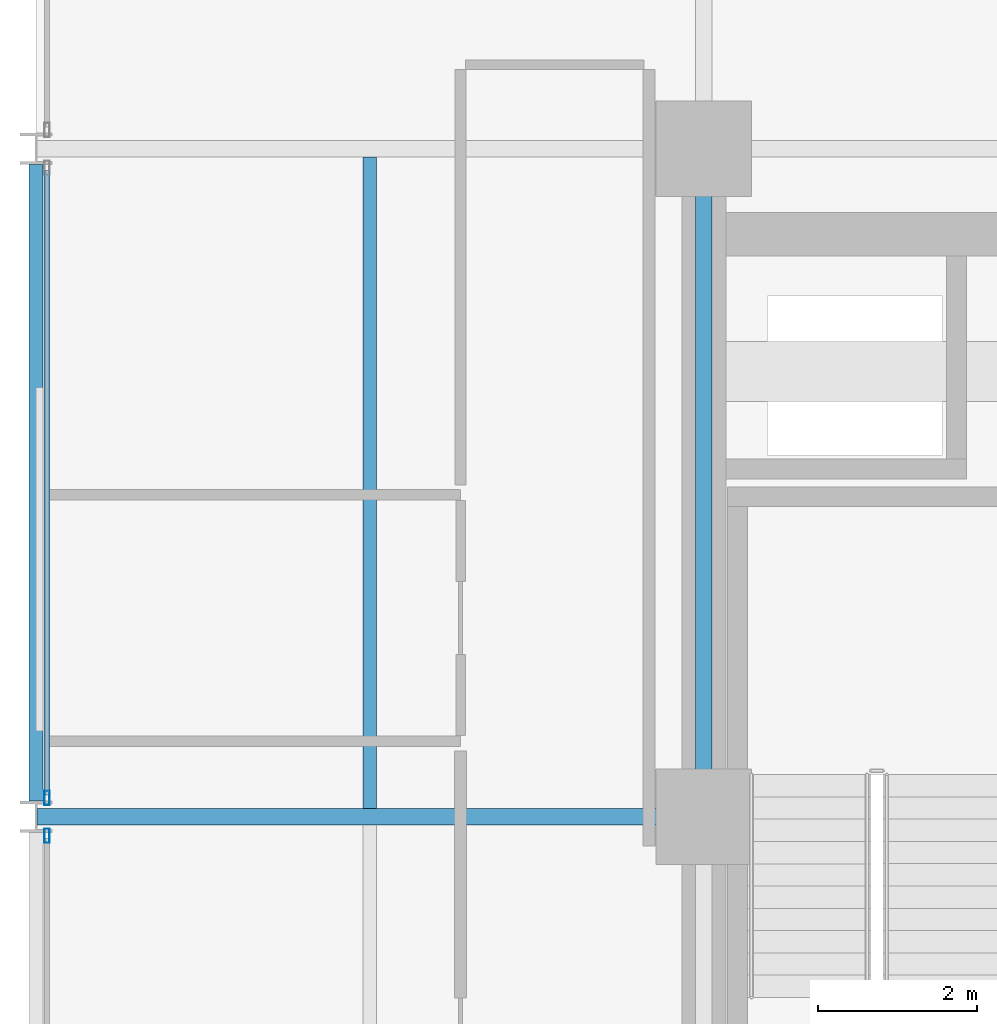
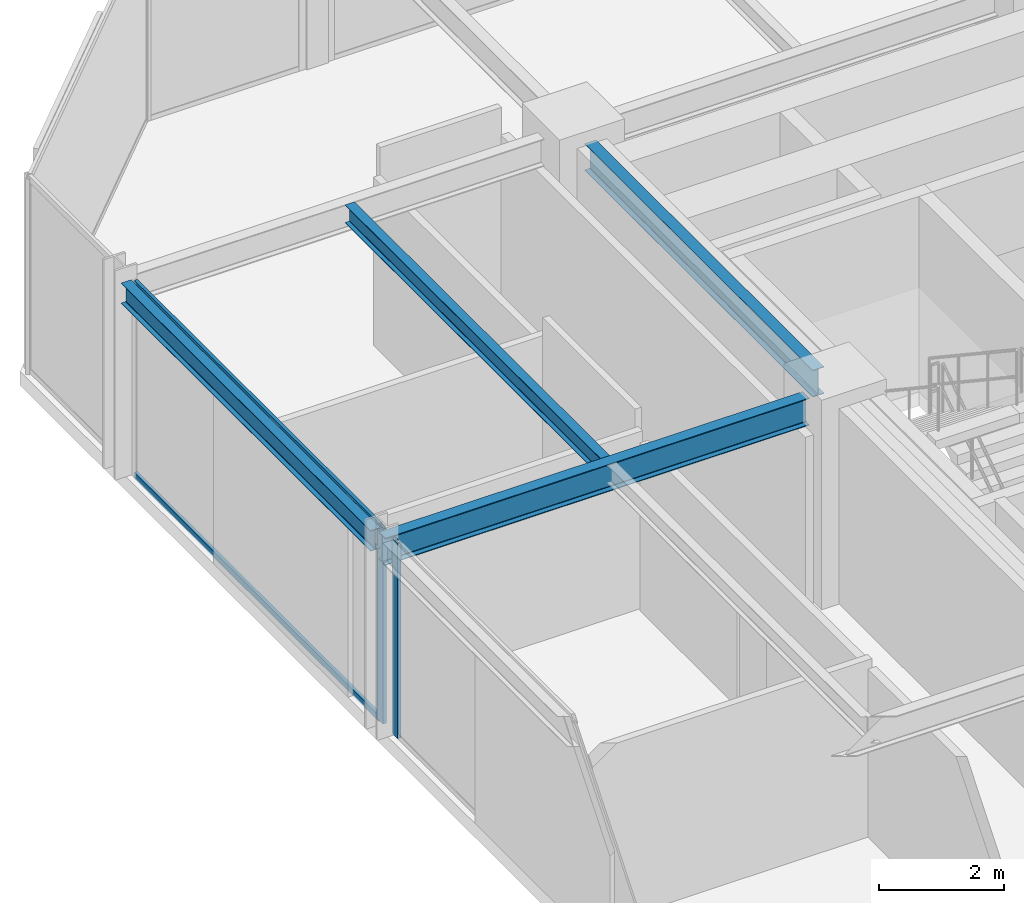
# One storey, part 16 of 29: 4 beams, 4 members, 2 elements without a shape of their own.
"""IFC4 building model written with IfcOpenShell, lengths in metres."""

from ifc_helpers import new_model, si_unit, direction, frame, origin, origin_2d, place, context, subcontext, project, spatial, hollow_rectangle, i_section, extrude, material, layer, layer_set, material_profile, profile_set, type_object, element, aggregate, save


model = new_model("IFC4")

# Units and contexts
model_context = context("Model", 3, precision=1e-05, world=origin(), true_north=direction((0.0, 1.0)))
body_context = subcontext(model_context, "Body", "Model", "MODEL_VIEW")
ifc_project = project(units=[si_unit("LENGTHUNIT", "METRE"), si_unit("AREAUNIT", "SQUARE_METRE"), si_unit("VOLUMEUNIT", "CUBIC_METRE"), si_unit("PLANEANGLEUNIT", "RADIAN"), si_unit("MASSUNIT", "GRAM", prefix="KILO")], contexts=[model_context])

# Site, building, storey
site_placement = place(None, origin())
site = spatial("IfcSite", under=ifc_project, at=site_placement, CompositionType="ELEMENT")
building_placement = place(site_placement, origin())
building = spatial("IfcBuilding", under=site, at=building_placement, Name="Nerrivon Quay Data Exchange", CompositionType="ELEMENT")
storey_placement = place(building_placement, frame((0.0, 0.0, 137.699951171875)))
storey = spatial("IfcBuildingStorey", under=building, at=storey_placement, Name="L32", CompositionType="ELEMENT", Elevation=137.699951171875)

# Beams
ifc_material_1 = material(Name="Steel Grade 350", Category="steel")
ifc_material_profile_1 = material_profile(ifc_material_1, i_section(OverallWidth=0.208984375, OverallDepth=0.532958984375, WebThickness=0.01025390625, FlangeThickness=0.015625, FilletRadius=0.013916015625, at=origin_2d()), Name="530UB92.4")
ifc_profile_set_1 = profile_set([ifc_material_profile_1], Name="Steel Grade 350")
beam_type_1 = type_object("IfcBeamType", Name="BM-G3-530UB92", PredefinedType="BEAM", material=ifc_profile_set_1)
beam_1_placement = place(storey_placement, frame((0.012451171875, 33.60009765625, 3.55859375), z_axis=(1.0, 0.0, 0.0), x_axis=(0.0, 1.0, 0.0)))
element("IfcBeam", 1, at=beam_1_placement, inside=storey, type_object=beam_type_1, Name="L32 EW Girder Y=33.6 (0.0..8.4)", PredefinedType="BEAM", context=body_context, shape_type="SweptSolid", body=[
    extrude(i_section(OverallWidth=0.208984375, OverallDepth=0.532958984375, WebThickness=0.01025390625, FlangeThickness=0.015625, FilletRadius=0.013916015625, at=origin_2d()), origin(), (0.0, 0.0, 1.0), 7.84765625),
])
ifc_material_profile_2 = material_profile(ifc_material_1, i_section(OverallWidth=0.208984375, OverallDepth=0.528076171875, WebThickness=0.009521484375, FlangeThickness=0.01318359375, FilletRadius=0.013916015625, at=origin_2d()), Name="530UB82.0")
ifc_profile_set_2 = profile_set([ifc_material_profile_2], Name="Steel Grade 350")
beam_type_2 = type_object("IfcBeamType", Name="BM-G4-530UB82", PredefinedType="BEAM", material=ifc_profile_set_2)
beam_2_placement = place(storey_placement, frame((8.39990234375, 34.139892578125, 3.56103515625), z_axis=(0.0, 1.0, 0.0), x_axis=(-1.0, 0.0, 0.0)))
element("IfcBeam", 2, at=beam_2_placement, inside=storey, type_object=beam_type_2, Name="L32 NS Girder X=8.4 (33.6..42.0)", PredefinedType="BEAM", context=body_context, shape_type="SweptSolid", body=[
    extrude(i_section(OverallWidth=0.208984375, OverallDepth=0.528076171875, WebThickness=0.009521484375, FlangeThickness=0.01318359375, FilletRadius=0.013916015625, at=origin_2d()), origin(), (0.0, 0.0, 1.0), 7.320068359375),
])
ifc_material_profile_3 = material_profile(ifc_material_1, i_section(OverallWidth=0.1708984375, OverallDepth=0.35595703125, WebThickness=0.00732421875, FlangeThickness=0.011474609375, FilletRadius=0.011474609375, at=origin_2d()), Name="360UB50.7")
ifc_profile_set_3 = profile_set([ifc_material_profile_3], Name="Steel Grade 350")
beam_type_3 = type_object("IfcBeamType", Name="BM-J4-360UB51", PredefinedType="JOIST", material=ifc_profile_set_3)
beam_3_placement = place(storey_placement, frame((4.199951171875, 33.70458984375, 3.64697265625), z_axis=(0.0, 1.0, 0.0), x_axis=(-1.0, 0.0, 0.0)))
element("IfcBeam", 3, at=beam_3_placement, inside=storey, type_object=beam_type_3, Name="L32 Secondary Joist X=4.2 (33.6..42.0)", PredefinedType="JOIST", context=body_context, shape_type="SweptSolid", body=[
    extrude(i_section(OverallWidth=0.1708984375, OverallDepth=0.35595703125, WebThickness=0.00732421875, FlangeThickness=0.011474609375, FilletRadius=0.011474609375, at=origin_2d()), origin(), (0.0, 0.0, 1.0), 8.19091796875),
])
ifc_material_profile_4 = material_profile(ifc_material_1, i_section(OverallWidth=0.177978515625, OverallDepth=0.403076171875, WebThickness=0.007568359375, FlangeThickness=0.010986328125, FilletRadius=0.011474609375, at=origin_2d()), Name="410UB53.7")
ifc_profile_set_4 = profile_set([ifc_material_profile_4], Name="Steel Grade 350")
beam_type_4 = type_object("IfcBeamType", Name="BM-SP2-410UB54", PredefinedType="SPANDREL", material=ifc_profile_set_4)
beam_4_placement = place(storey_placement, frame((0.0, 33.800048828125, 3.62353515625), z_axis=(0.0, 1.0, 0.0), x_axis=(-1.0, 0.0, 0.0)))
element("IfcBeam", 4, at=beam_4_placement, inside=storey, type_object=beam_type_4, Name="L32 NS Girder X=0.0 (33.6..42.0)", PredefinedType="SPANDREL", context=body_context, shape_type="SweptSolid", body=[
    extrude(i_section(OverallWidth=0.177978515625, OverallDepth=0.403076171875, WebThickness=0.007568359375, FlangeThickness=0.010986328125, FilletRadius=0.011474609375, at=origin_2d()), origin(), (0.0, 0.0, 1.0), 8.0),
])

# Curtain wall, member
ifc_material_2 = material(Name="Anodised aluminium 6063-T6", Category="aluminium")
ifc_layer = layer(ifc_material_2, 0.2099609375)
ifc_layer_set = layer_set([ifc_layer], Name="Anodised aluminium 6063-T6")
curtain_wall_type = type_object("IfcCurtainWallType", Name="CW-SYS-02", PredefinedType="NOTDEFINED", material=ifc_layer_set)
curtain_wall_1_placement = place(storey_placement, origin())
curtain_wall_1 = element("IfcCurtainWall", 5, at=curtain_wall_1_placement, inside=storey, type_object=curtain_wall_type, Name="L32 Unitised Curtain Wall 14", PredefinedType="NOTDEFINED")
ifc_material_profile_5 = material_profile(ifc_material_2, hollow_rectangle(XDim=0.06494140625, YDim=0.179931640625, WallThickness=0.00341796875, at=origin_2d()), Name="ALU-MULL-180x65")
ifc_profile_set_5 = profile_set([ifc_material_profile_5], Name="Anodised aluminium 6063-T6")
member_type_1 = type_object("IfcMemberType", Name="CWM-180x65", PredefinedType="MULLION", material=ifc_profile_set_5)
member_1_placement = place(storey_placement, frame((0.139892578125, 33.362548828125, 0.0), z_axis=(0.0, 0.0, 1.0), x_axis=(-1.0, 0.0, 0.0)))
member_1 = element("IfcMember", 6, at=member_1_placement, type_object=member_type_1, Name="CW02 mullion 2", PredefinedType="MULLION", context=body_context, shape_type="SweptSolid", body=[
    extrude(hollow_rectangle(XDim=0.06494140625, YDim=0.179931640625, WallThickness=0.00341796875, at=origin_2d()), origin(), (0.0, 0.0, 1.0), 3.824951171875),
])
aggregate(curtain_wall_1, [member_1])

# Curtain wall, members
curtain_wall_2_placement = place(storey_placement, origin())
curtain_wall_2 = element("IfcCurtainWall", 7, at=curtain_wall_2_placement, inside=storey, type_object=curtain_wall_type, Name="L32 Unitised Curtain Wall 15", PredefinedType="NOTDEFINED")
member_2_placement = place(storey_placement, frame((0.139892578125, 33.83740234375, 0.0), z_axis=(0.0, 0.0, 1.0), x_axis=(-1.0, 0.0, 0.0)))
member_2 = element("IfcMember", 8, at=member_2_placement, type_object=member_type_1, Name="CW02 mullion 1", PredefinedType="MULLION", context=body_context, shape_type="SweptSolid", body=[
    extrude(hollow_rectangle(XDim=0.06494140625, YDim=0.179931640625, WallThickness=0.00341796875, at=origin_2d()), origin(), (0.0, 0.0, 1.0), 3.824951171875),
])
ifc_material_profile_6 = material_profile(ifc_material_2, hollow_rectangle(XDim=0.06005859375, YDim=0.1201171875, WallThickness=0.003173828125, at=origin_2d()), Name="ALU-TRAN-120x60")
ifc_profile_set_6 = profile_set([ifc_material_profile_6], Name="Anodised aluminium 6063-T6")
member_type_2 = type_object("IfcMemberType", Name="CWT-120x60", PredefinedType="USERDEFINED", material=ifc_profile_set_6)
member_3_placement = place(storey_placement, frame((0.139892578125, 33.875, 0.032470703125), z_axis=(0.0, 1.0, 0.0), x_axis=(-1.0, 0.0, 0.0)))
member_3 = element("IfcMember", 9, at=member_3_placement, type_object=member_type_2, Name="CW02 transom 1.1", ObjectType="TRANSOM", PredefinedType="USERDEFINED", context=body_context, shape_type="SweptSolid", body=[
    extrude(hollow_rectangle(XDim=0.06005859375, YDim=0.1201171875, WallThickness=0.003173828125, at=origin_2d()), origin(), (0.0, 0.0, 1.0), 7.85009765625),
])
member_4_placement = place(storey_placement, frame((0.139892578125, 33.875, 3.79248046875), z_axis=(0.0, 1.0, 0.0), x_axis=(-1.0, 0.0, 0.0)))
member_4 = element("IfcMember", 10, at=member_4_placement, type_object=member_type_2, Name="CW02 transom 1.2", ObjectType="TRANSOM", PredefinedType="USERDEFINED", context=body_context, shape_type="SweptSolid", body=[
    extrude(hollow_rectangle(XDim=0.06005859375, YDim=0.1201171875, WallThickness=0.003173828125, at=origin_2d()), origin(), (0.0, 0.0, 1.0), 7.85009765625),
])
aggregate(curtain_wall_2, [member_2, member_3, member_4])

save(model, "model.ifc")
